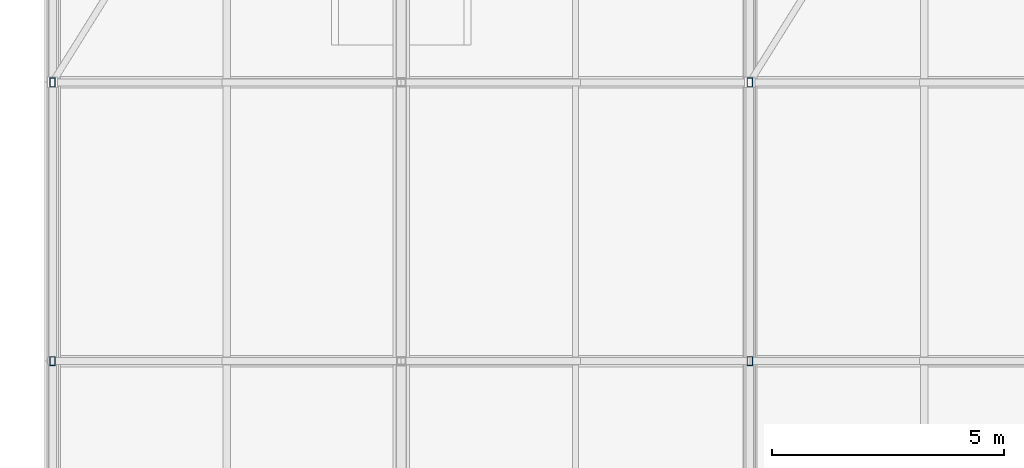
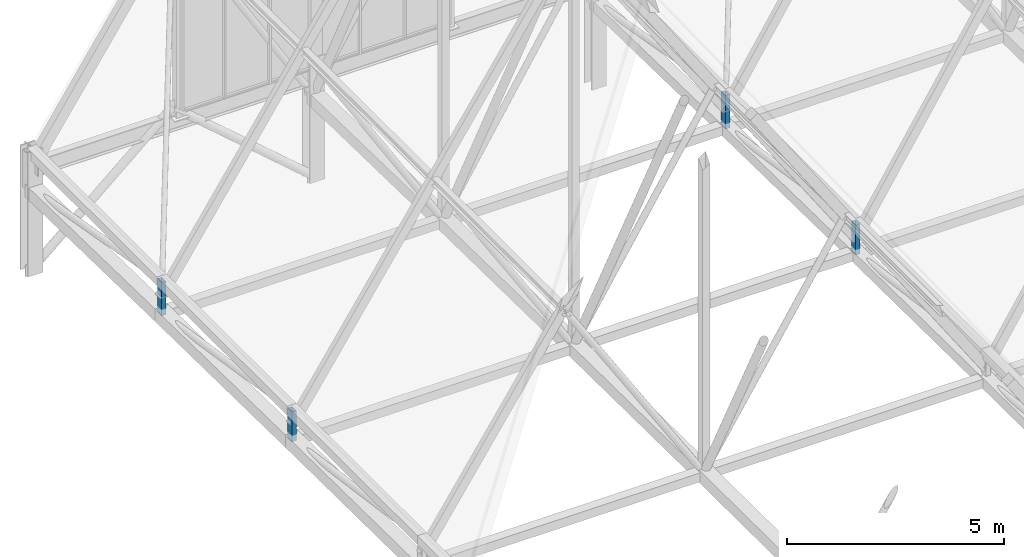
# One storey, part 252 of 324: 4 members.
"""IFC4 building model written with IfcOpenShell, lengths in metres."""

from ifc_helpers import new_model, si_unit, direction, frame, origin, origin_2d, place, context, subcontext, project, spatial, hollow_rectangle, extrude, material, material_profile, profile_set, type_object, element, save


model = new_model("IFC4")

# Units and contexts
model_context = context("Model", 3, precision=1e-05, world=origin(), true_north=direction((0.0, 1.0)))
body_context = subcontext(model_context, "Body", "Model", "MODEL_VIEW")
ifc_project = project(units=[si_unit("LENGTHUNIT", "METRE"), si_unit("AREAUNIT", "SQUARE_METRE"), si_unit("VOLUMEUNIT", "CUBIC_METRE"), si_unit("PLANEANGLEUNIT", "RADIAN"), si_unit("MASSUNIT", "GRAM", prefix="KILO")], contexts=[model_context])

# Site, building, storey
site_placement = place(None, origin())
site = spatial("IfcSite", under=ifc_project, at=site_placement, CompositionType="ELEMENT")
building_placement = place(site_placement, origin())
building = spatial("IfcBuilding", under=site, at=building_placement, Name="Solvenia Promenade Tram Depot", CompositionType="ELEMENT")
storey_placement = place(building_placement, frame((0.0, 0.0, 4.5)))
storey = spatial("IfcBuildingStorey", under=building, at=storey_placement, Name="L01", CompositionType="ELEMENT", Elevation=4.5)

# Members
ifc_material = material(Name="Structural steel ASTM A500 Gr. C", Category="steel")
ifc_material_profile = material_profile(ifc_material, hollow_rectangle(XDim=0.1201171875, YDim=0.199951171875, WallThickness=0.008056640625, at=origin_2d()), Name="HSS200x120x8", Category="steel")
ifc_profile_set = profile_set([ifc_material_profile], Name="Structural steel ASTM A500 Gr. C")
member_type = type_object("IfcMemberType", Name="Post-HSS200x120x8", PredefinedType="POST", material=ifc_profile_set)
member_1_placement = place(storey_placement, frame((0.0, 114.0, 2.5439453125), z_axis=(0.0, 0.0, 1.0), x_axis=(1.0, 0.0, 0.0)))
element("IfcMember", 1, at=member_1_placement, inside=storey, type_object=member_type, Name="Arched Truss T01 Web Post S08", PredefinedType="POST", context=body_context, shape_type="SweptSolid", body=[
    extrude(hollow_rectangle(XDim=0.1201171875, YDim=0.199951171875, WallThickness=0.008056640625, at=origin_2d()), origin(), (0.0, 0.0, 1.0), 0.8359375),
])
member_2_placement = place(storey_placement, frame((0.0, 120.0, 2.446044921875), z_axis=(0.0, 0.0, 1.0), x_axis=(1.0, 0.0, 0.0)))
element("IfcMember", 2, at=member_2_placement, inside=storey, type_object=member_type, Name="Arched Truss T01 Web Post S09", PredefinedType="POST", context=body_context, shape_type="SweptSolid", body=[
    extrude(hollow_rectangle(XDim=0.1201171875, YDim=0.199951171875, WallThickness=0.008056640625, at=origin_2d()), origin(), (0.0, 0.0, 1.0), 0.933837890625),
])
member_3_placement = place(storey_placement, frame((15.0, 114.0, 2.5439453125), z_axis=(0.0, 0.0, 1.0), x_axis=(1.0, 0.0, 0.0)))
element("IfcMember", 3, at=member_3_placement, inside=storey, type_object=member_type, Name="Arched Truss T03 Web Post S08", PredefinedType="POST", context=body_context, shape_type="SweptSolid", body=[
    extrude(hollow_rectangle(XDim=0.1201171875, YDim=0.199951171875, WallThickness=0.008056640625, at=origin_2d()), origin(), (0.0, 0.0, 1.0), 0.8359375),
])
member_4_placement = place(storey_placement, frame((15.0, 120.0, 2.446044921875), z_axis=(0.0, 0.0, 1.0), x_axis=(1.0, 0.0, 0.0)))
element("IfcMember", 4, at=member_4_placement, inside=storey, type_object=member_type, Name="Arched Truss T03 Web Post S09", PredefinedType="POST", context=body_context, shape_type="SweptSolid", body=[
    extrude(hollow_rectangle(XDim=0.1201171875, YDim=0.199951171875, WallThickness=0.008056640625, at=origin_2d()), origin(), (0.0, 0.0, 1.0), 0.933837890625),
])

save(model, "model.ifc")
